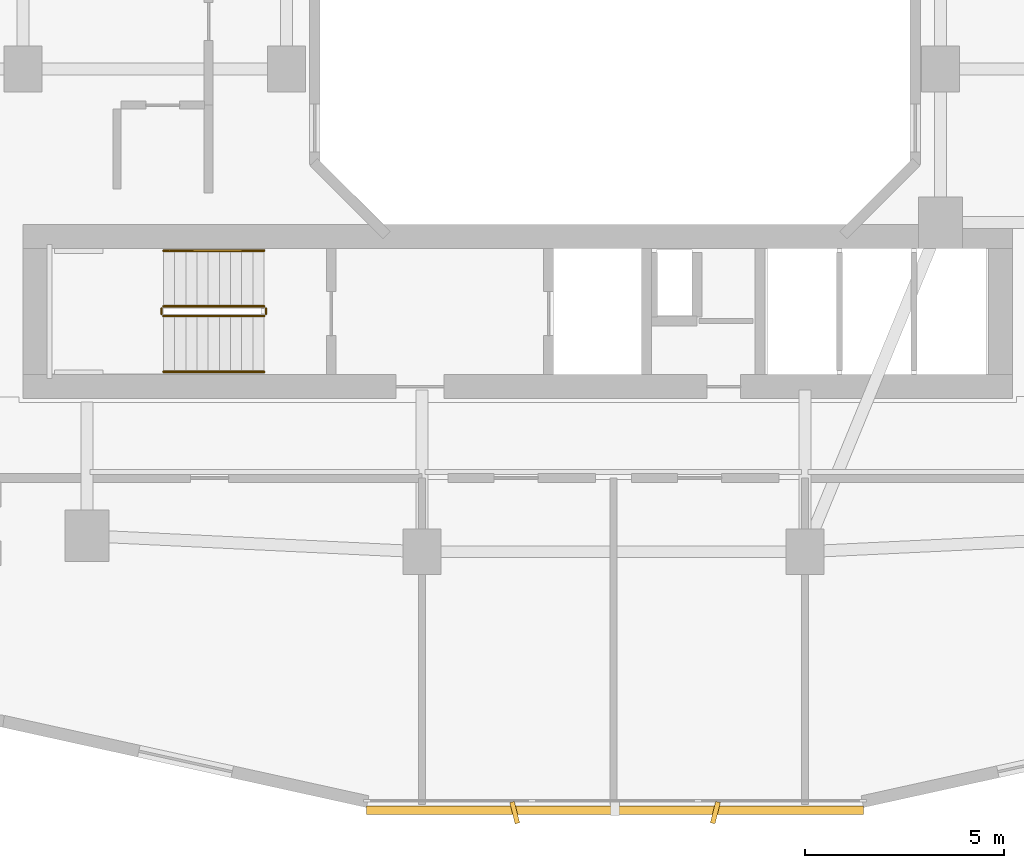
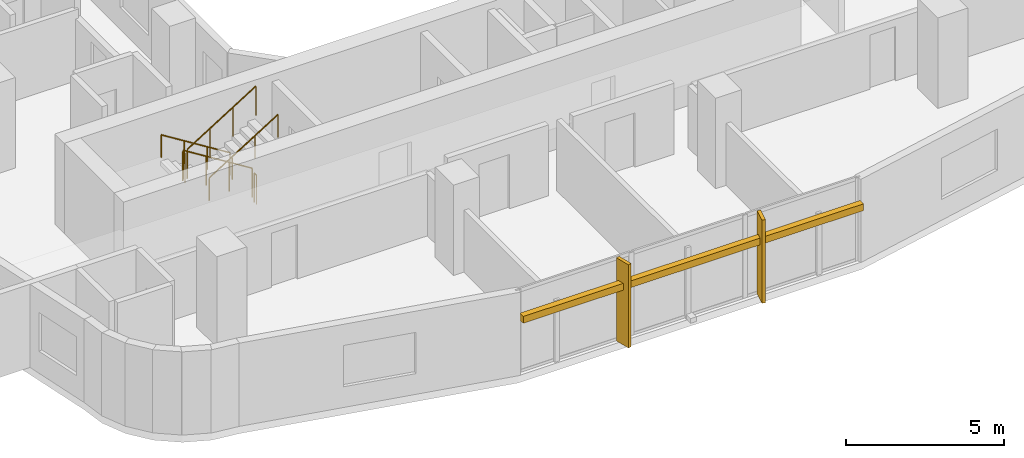
# One storey, part 22 of 26: 6 railings, 3 shading devices.
"""IFC4 building model written with IfcOpenShell, lengths in metres."""

from ifc_helpers import new_model, si_unit, derived_unit, direction, frame, origin, origin_2d, place, context, subcontext, project, spatial, rectangle, circle, extrude, material, type_object, element, save


model = new_model("IFC4")

# Units and contexts
model_context = context("Model", 3, precision=1e-05, world=origin(), true_north=direction((0.0, 1.0)))
body_context = subcontext(model_context, "Body", "Model", "MODEL_VIEW")
ifc_project = project(units=[si_unit("LENGTHUNIT", "METRE"), si_unit("AREAUNIT", "SQUARE_METRE"), si_unit("VOLUMEUNIT", "CUBIC_METRE"), si_unit("PLANEANGLEUNIT", "RADIAN"), si_unit("MASSUNIT", "GRAM", prefix="KILO"), derived_unit("THERMALTRANSMITTANCEUNIT", [(si_unit("POWERUNIT", "WATT"), 1), (si_unit("LENGTHUNIT", "METRE"), -2), (si_unit("THERMODYNAMICTEMPERATUREUNIT", "KELVIN"), -1)])], contexts=[model_context])

# Site, building, storey
site_placement = place(None, origin())
site = spatial("IfcSite", under=ifc_project, at=site_placement, CompositionType="ELEMENT")
building_placement = place(site_placement, origin())
building = spatial("IfcBuilding", under=site, at=building_placement, Name="Kivonza Crest Hotel", CompositionType="ELEMENT")
storey_placement = place(building_placement, frame((0.0, 0.0, 52.0)))
storey = spatial("IfcBuildingStorey", under=building, at=storey_placement, Name="L13", CompositionType="ELEMENT", Elevation=52.0)

# Railings
ifc_material_1 = material(Name="Brushed stainless steel handrail", Category="steel")
railing_type_1 = type_object("IfcRailingType", Name="RL-HAND-900", PredefinedType="HANDRAIL", material=ifc_material_1)
railing_1_placement = place(storey_placement, frame((12.239990234375, 16.949951171875, 0.175048828125)))
element("IfcRailing", 1, at=railing_1_placement, inside=storey, type_object=railing_type_1, Name="L13 ST-T1-S stair handrail 1", PredefinedType="HANDRAIL", context=body_context, shape_type="SweptSolid", body=[
    extrude(circle(Radius=0.02392578125, at=origin_2d()), frame((0.0, 0.0, 0.8759765625), z_axis=(-0.848007534815, 0.0, 0.529984170421), x_axis=(0.0, -1.0, 0.0)), (0.0, 0.0, 1.0), 2.9716796875),
    extrude(circle(Radius=0.02099609375, at=origin_2d()), origin(), (0.0, 0.0, 1.0), 0.851806640625),
    extrude(circle(Radius=0.02099609375, at=origin_2d()), frame((-0.840087890625, 0.0, 0.52490234375)), (0.0, 0.0, 1.0), 0.851806640625),
    extrude(circle(Radius=0.02099609375, at=origin_2d()), frame((-1.679931640625, 0.0, 1.050048828125)), (0.0, 0.0, 1.0), 0.851806640625),
    extrude(circle(Radius=0.02099609375, at=origin_2d()), frame((-2.52001953125, 0.0, 1.574951171875)), (0.0, 0.0, 1.0), 0.851806640625),
])
railing_2_placement = place(storey_placement, frame((9.719970703125, 13.909912109375, 1.925048828125)))
element("IfcRailing", 2, at=railing_2_placement, inside=storey, type_object=railing_type_1, Name="L13 ST-T1-S stair handrail 2", PredefinedType="HANDRAIL", context=body_context, shape_type="SweptSolid", body=[
    extrude(circle(Radius=0.02392578125, at=origin_2d()), frame((0.0, 0.0, 0.8759765625), z_axis=(0.848007534815, 0.0, 0.529984170421), x_axis=(0.0, 1.0, 0.0)), (0.0, 0.0, 1.0), 2.9716796875),
    extrude(circle(Radius=0.02099609375, at=origin_2d()), origin(), (0.0, 0.0, 1.0), 0.851806640625),
    extrude(circle(Radius=0.02099609375, at=origin_2d()), frame((0.840087890625, 0.0, 0.52490234375)), (0.0, 0.0, 1.0), 0.851806640625),
    extrude(circle(Radius=0.02099609375, at=origin_2d()), frame((1.679931640625, 0.0, 1.050048828125)), (0.0, 0.0, 1.0), 0.851806640625),
    extrude(circle(Radius=0.02099609375, at=origin_2d()), frame((2.52001953125, 0.0, 1.574951171875)), (0.0, 0.0, 1.0), 0.851806640625),
])
ifc_material_2 = material(Name="Painted steel balustrade", Category="steel")
railing_type_2 = type_object("IfcRailingType", Name="RL-STAIR-1150", PredefinedType="BALUSTRADE", material=ifc_material_2)
railing_3_placement = place(storey_placement, frame((12.239990234375, 15.550048828125, 0.175048828125)))
element("IfcRailing", 3, at=railing_3_placement, inside=storey, type_object=railing_type_2, Name="L13 ST-T1-S stair guard 1", PredefinedType="BALUSTRADE", context=body_context, shape_type="SweptSolid", body=[
    extrude(circle(Radius=0.02392578125, at=origin_2d()), frame((0.0, 0.0, 1.1259765625), z_axis=(-0.848007534815, 0.0, 0.529984170421), x_axis=(0.0, -1.0, 0.0)), (0.0, 0.0, 1.0), 2.9716796875),
    extrude(circle(Radius=0.02099609375, at=origin_2d()), origin(), (0.0, 0.0, 1.0), 1.101806640625),
    extrude(circle(Radius=0.02099609375, at=origin_2d()), frame((-0.840087890625, 0.0, 0.52490234375)), (0.0, 0.0, 1.0), 1.101806640625),
    extrude(circle(Radius=0.02099609375, at=origin_2d()), frame((-1.679931640625, 0.0, 1.050048828125)), (0.0, 0.0, 1.0), 1.101806640625),
    extrude(circle(Radius=0.02099609375, at=origin_2d()), frame((-2.52001953125, 0.0, 1.574951171875)), (0.0, 0.0, 1.0), 1.101806640625),
])
railing_4_placement = place(storey_placement, frame((9.669921875, 15.5, 1.75)))
element("IfcRailing", 4, at=railing_4_placement, inside=storey, type_object=railing_type_2, Name="L13 ST-T1-S stair guard 2", PredefinedType="BALUSTRADE", context=body_context, shape_type="SweptSolid", body=[
    extrude(circle(Radius=0.02392578125, at=origin_2d()), frame((0.0, 0.0, 1.1259765625), z_axis=(0.0, -1.0, 0.0), x_axis=(1.0, 0.0, 0.0)), (0.0, 0.0, 1.0), 0.139892578125),
    extrude(circle(Radius=0.02099609375, at=origin_2d()), origin(), (0.0, 0.0, 1.0), 1.101806640625),
    extrude(circle(Radius=0.02099609375, at=origin_2d()), frame((0.0, -0.139892578125, 0.0)), (0.0, 0.0, 1.0), 1.101806640625),
])
railing_5_placement = place(storey_placement, frame((9.719970703125, 15.31005859375, 1.925048828125)))
element("IfcRailing", 5, at=railing_5_placement, inside=storey, type_object=railing_type_2, Name="L13 ST-T1-S stair guard 3", PredefinedType="BALUSTRADE", context=body_context, shape_type="SweptSolid", body=[
    extrude(circle(Radius=0.02392578125, at=origin_2d()), frame((0.0, 0.0, 1.1259765625), z_axis=(0.848007534815, 0.0, 0.529984170421), x_axis=(0.0, 1.0, 0.0)), (0.0, 0.0, 1.0), 2.9716796875),
    extrude(circle(Radius=0.02099609375, at=origin_2d()), origin(), (0.0, 0.0, 1.0), 1.101806640625),
    extrude(circle(Radius=0.02099609375, at=origin_2d()), frame((0.840087890625, 0.0, 0.52490234375)), (0.0, 0.0, 1.0), 1.101806640625),
    extrude(circle(Radius=0.02099609375, at=origin_2d()), frame((1.679931640625, 0.0, 1.050048828125)), (0.0, 0.0, 1.0), 1.101806640625),
    extrude(circle(Radius=0.02099609375, at=origin_2d()), frame((2.52001953125, 0.0, 1.574951171875)), (0.0, 0.0, 1.0), 1.101806640625),
])
railing_6_placement = place(storey_placement, frame((12.2900390625, 15.5, 0.0)))
element("IfcRailing", 6, at=railing_6_placement, inside=storey, type_object=railing_type_2, Name="L13 ST-T1-S stair guard 4", PredefinedType="BALUSTRADE", context=body_context, shape_type="SweptSolid", body=[
    extrude(circle(Radius=0.02392578125, at=origin_2d()), frame((0.0, 0.0, 1.1259765625), z_axis=(0.0, -1.0, 0.0), x_axis=(1.0, 0.0, 0.0)), (0.0, 0.0, 1.0), 0.139892578125),
    extrude(circle(Radius=0.02099609375, at=origin_2d()), origin(), (0.0, 0.0, 1.0), 1.101806640625),
    extrude(circle(Radius=0.02099609375, at=origin_2d()), frame((0.0, -0.139892578125, 0.0)), (0.0, 0.0, 1.0), 1.101806640625),
])

# Shading devices
ifc_material_3 = material(Name="Kiln-fired Nairobi red-ochre terracotta", Category="masonry")
shading_device_type_1 = type_object("IfcShadingDeviceType", Name="SH-BAGUETTE-300", PredefinedType="USERDEFINED", material=ifc_material_3)
shading_device_placement = place(storey_placement, frame((21.0400390625, 2.919921875, 2.1240234375), z_axis=(0.0, 0.0, 1.0), x_axis=(1.0, 0.0, 0.0)))
element("IfcShadingDevice", 7, at=shading_device_placement, inside=storey, type_object=shading_device_type_1, Name="L13 terracotta baguette screen CW-T1-L13-08", ObjectType="BAGUETTE", PredefinedType="USERDEFINED", context=body_context, shape_type="SweptSolid", body=[
    extrude(rectangle(XDim=12.4560546875, YDim=0.219970703125, at=origin_2d()), origin(), (0.0, 0.0, 1.0), 0.260009765625),
])
ifc_material_4 = material(Name="Kiln-fired terracotta over extruded aluminium spine", Category="masonry")
shading_device_type_2 = type_object("IfcShadingDeviceType", Name="SH-FIN-550", PredefinedType="USERDEFINED", material=ifc_material_4)
for number, where, z_axis, x_axis, name in (
    (8, (18.52490234375, 2.860107421875, 0.0), (0.0, 0.0, 1.0), (0.970295726276, 0.2419218956, 0.0), "L13 vertical solar shading fin CW-T1-L13-08-1"),
    (9, (23.554931640625, 2.860107421875, 0.0), (0.0, 0.0, 1.0), (0.970295726276, -0.2419218956, 0.0), "L13 vertical solar shading fin CW-T1-L13-08-2"),
):
    element("IfcShadingDevice", number, at=place(storey_placement, frame(where, z_axis=z_axis, x_axis=x_axis)), inside=storey, type_object=shading_device_type_2, Name=name, ObjectType="FIN", PredefinedType="USERDEFINED", context=body_context, shape_type="SweptSolid", body=[
        extrude(rectangle(XDim=0.1201171875, YDim=0.550048828125, at=origin_2d()), origin(), (0.0, 0.0, 1.0), 3.219970703125),
    ])

save(model, "model.ifc")
